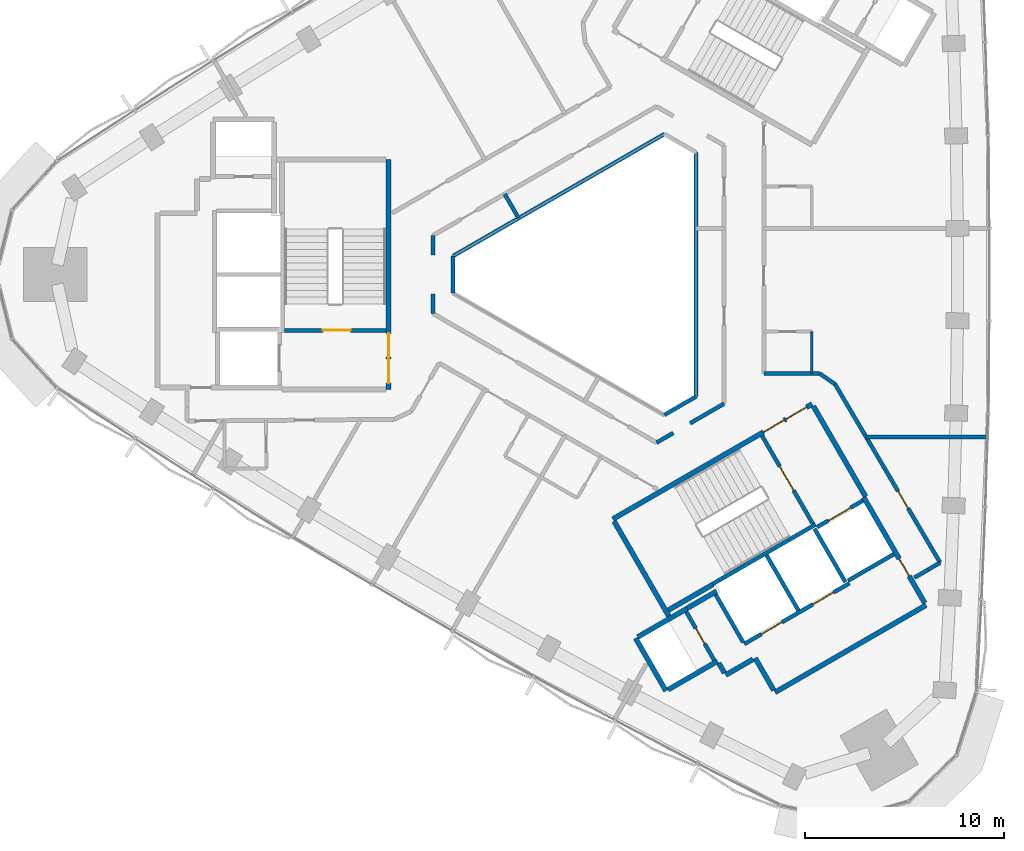
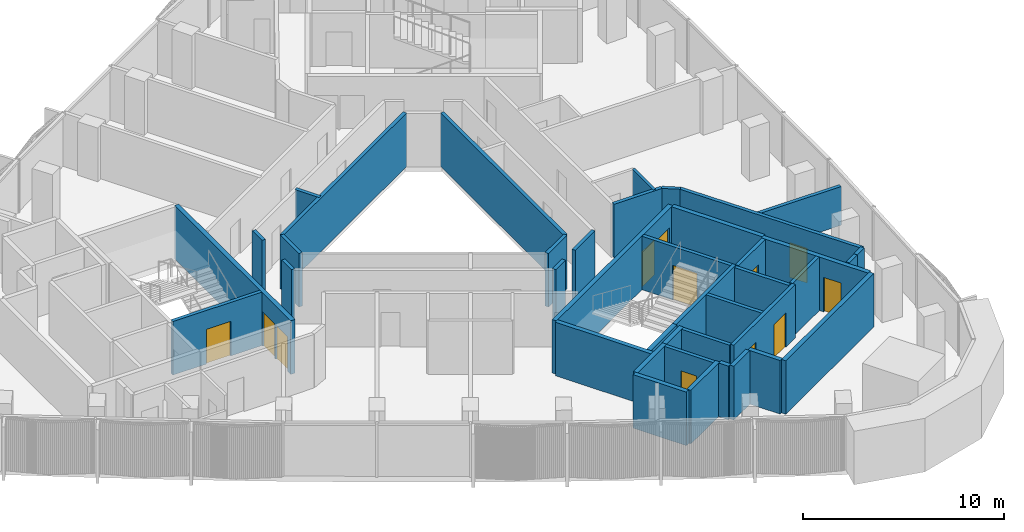
# One storey, part 8 of 13: 40 walls, 12 doors, 12 openings.
"""IFC4 building model written with IfcOpenShell, lengths in metres."""

from ifc_helpers import new_model, si_unit, direction, frame, frame_2d, origin, place, context, subcontext, project, spatial, rectangle, extrude, material, layer, layer_set, type_object, element, fill, save


model = new_model("IFC4")

# Units and contexts
model_context = context("Model", 3, precision=1e-05, world=origin(), true_north=direction((0.0, 1.0)))
body_context = subcontext(model_context, "Body", "Model", "MODEL_VIEW")
ifc_project = project(units=[si_unit("LENGTHUNIT", "METRE"), si_unit("AREAUNIT", "SQUARE_METRE"), si_unit("VOLUMEUNIT", "CUBIC_METRE"), si_unit("PLANEANGLEUNIT", "RADIAN"), si_unit("MASSUNIT", "GRAM", prefix="KILO")], contexts=[model_context])

# Site, building, storey
site_placement = place(None, origin())
site = spatial("IfcSite", under=ifc_project, at=site_placement, CompositionType="ELEMENT")
building_placement = place(site_placement, origin())
building = spatial("IfcBuilding", under=site, at=building_placement, Name="Tamra Quay Hotel Tower", CompositionType="ELEMENT")
storey_placement = place(building_placement, frame((0.0, 0.0, 182.800048828125)))
storey = spatial("IfcBuildingStorey", under=building, at=storey_placement, Name="L45", CompositionType="ELEMENT", Elevation=182.800048828125)

# Wall, opening, door
ifc_material_1 = material(Name="Concrete M70", Category="concrete")
ifc_layer_1 = layer(ifc_material_1, 0.199951171875)
ifc_layer_set_1 = layer_set([ifc_layer_1], Name="Concrete M70 core wall 200")
wall_type_1 = type_object("IfcWallType", Name="Concrete M70 core wall 200", PredefinedType="SHEAR", material=ifc_layer_set_1)
wall_1_placement = place(storey_placement, frame((-10.96337890625, -2.800048828125, 0.0), z_axis=(0.0, 0.0, 1.0), x_axis=(-1.0, 0.0, 0.0)))
wall_1 = element("IfcWall", 1, at=wall_1_placement, inside=storey, type_object=wall_type_1, Name="CW2", PredefinedType="SHEAR", context=body_context, shape_type="SweptSolid", body=[
    extrude(rectangle(XDim=5.097900390625, YDim=0.199951171875, at=frame_2d((2.548828125, 0.0))), origin(), (0.0, 0.0, 1.0), 3.25),
])
opening_1_placement = place(wall_1_placement, frame((1.77392578125, 0.0, 0.0)))
opening_1 = element("IfcOpeningElement", 2, at=opening_1_placement, cuts=wall_1, Name="Opening FD2", PredefinedType="OPENING", context=body_context, shape_type="SweptSolid", body=[
    extrude(rectangle(XDim=1.39990234375, YDim=2.10009765625, at=frame_2d((0.699951171875, 1.050048828125))), frame((0.0, 0.10986328125, 0.0), z_axis=(0.0, -1.0, 0.0), x_axis=(1.0, 0.0, 0.0)), (0.0, 0.0, 1.0), 0.219970703125),
])
ifc_material_2 = material(Name="Core door FD2 1400x2100 RH")
door_type_1 = type_object("IfcDoorType", Name="Core door FD2 1400x2100 RH", OperationType="NOTDEFINED", PredefinedType="DOOR", material=ifc_material_2)
door_1_placement = place(opening_1_placement, origin())
door_1 = element("IfcDoor", 3, at=door_1_placement, inside=storey, type_object=door_type_1, Name="FD2", OperationType="SINGLE_SWING_RIGHT", OverallHeight=2.10009765625, OverallWidth=1.39990234375, PredefinedType="DOOR", context=body_context, shape_type="SweptSolid", body=[
    extrude(rectangle(XDim=1.39990234375, YDim=2.10009765625, at=frame_2d((0.699951171875, 1.050048828125))), frame((0.0, 0.02490234375, 0.0), z_axis=(0.0, -1.0, 0.0), x_axis=(1.0, 0.0, 0.0)), (0.0, 0.0, 1.0), 0.050048828125),
])
fill(opening_1, door_1)

# Wall
wall_2_placement = place(storey_placement, frame((5.4189453125, -15.533935546875, 0.0), z_axis=(0.0, 0.0, 1.0), x_axis=(0.866029065029, 0.499993658486, 0.0)))
element("IfcWall", 4, at=wall_2_placement, inside=storey, type_object=wall_type_1, Name="CW2", PredefinedType="SHEAR", context=body_context, shape_type="SweptSolid", body=[
    extrude(rectangle(XDim=5.97412109375, YDim=0.199951171875, at=frame_2d((2.987060546875, 0.0))), origin(), (0.0, 0.0, 1.0), 3.25),
])

# Wall, openings, doors
wall_3_placement = place(storey_placement, frame((7.009765625, -18.54150390625, 0.0), z_axis=(0.0, 0.0, 1.0), x_axis=(0.866030299012, 0.499991521122, 0.0)))
wall_3 = element("IfcWall", 5, at=wall_3_placement, inside=storey, type_object=wall_type_1, Name="CW2", PredefinedType="SHEAR", context=body_context, shape_type="SweptSolid", body=[
    extrude(rectangle(XDim=6.10009765625, YDim=0.199951171875, at=frame_2d((3.050048828125, 0.0))), origin(), (0.0, 0.0, 1.0), 3.25),
])
opening_2_placement = place(wall_3_placement, frame((1.0, 0.0, 0.0)))
opening_2 = element("IfcOpeningElement", 6, at=opening_2_placement, cuts=wall_3, Name="Opening LD", PredefinedType="OPENING", context=body_context, shape_type="SweptSolid", body=[
    extrude(rectangle(XDim=1.199951171875, YDim=2.10009765625, at=frame_2d((0.60009765625, 1.050048828125))), frame((0.0, 0.10986328125, 0.0), z_axis=(0.0, -1.0, 0.0), x_axis=(1.0, 0.0, 0.0)), (0.0, 0.0, 1.0), 0.219970703125),
])
opening_3_placement = place(wall_3_placement, frame((3.982177734375, 0.0, 0.0)))
opening_3 = element("IfcOpeningElement", 7, at=opening_3_placement, cuts=wall_3, Name="Opening LD", PredefinedType="OPENING", context=body_context, shape_type="SweptSolid", body=[
    extrude(rectangle(XDim=1.199951171875, YDim=2.10009765625, at=frame_2d((0.60009765625, 1.050048828125))), frame((0.0, 0.10986328125, 0.0), z_axis=(0.0, -1.0, 0.0), x_axis=(1.0, 0.0, 0.0)), (0.0, 0.0, 1.0), 0.219970703125),
])
ifc_material_3 = material(Name="Landing door LD 1200 double door sliding")
door_type_2 = type_object("IfcDoorType", Name="Landing door LD 1200 double door sliding", OperationType="DOUBLE_DOOR_SLIDING", PredefinedType="DOOR", material=ifc_material_3)
door_2_placement = place(opening_2_placement, origin())
door_2 = element("IfcDoor", 8, at=door_2_placement, inside=storey, type_object=door_type_2, Name="LD", OperationType="DOUBLE_DOOR_SLIDING", OverallHeight=2.10009765625, OverallWidth=1.199951171875, PredefinedType="DOOR", context=body_context, shape_type="SweptSolid", body=[
    extrude(rectangle(XDim=1.199951171875, YDim=2.10009765625, at=frame_2d((0.60009765625, 1.050048828125))), frame((0.0, 0.02490234375, 0.0), z_axis=(0.0, -1.0, 0.0), x_axis=(1.0, 0.0, 0.0)), (0.0, 0.0, 1.0), 0.050048828125),
])
fill(opening_2, door_2)
door_3_placement = place(opening_3_placement, origin())
door_3 = element("IfcDoor", 9, at=door_3_placement, inside=storey, type_object=door_type_2, Name="LD", OperationType="DOUBLE_DOOR_SLIDING", OverallHeight=2.10009765625, OverallWidth=1.199951171875, PredefinedType="DOOR", context=body_context, shape_type="SweptSolid", body=[
    extrude(rectangle(XDim=1.199951171875, YDim=2.10009765625, at=frame_2d((0.60009765625, 1.050048828125))), frame((0.0, 0.02490234375, 0.0), z_axis=(0.0, -1.0, 0.0), x_axis=(1.0, 0.0, 0.0)), (0.0, 0.0, 1.0), 0.050048828125),
])
fill(opening_3, door_3)

# Wall, opening, door
wall_4_placement = place(storey_placement, frame((7.906494140625, -8.094482421875, 0.0), z_axis=(0.0, 0.0, 1.0), x_axis=(0.500027839223, -0.866009330205, 0.0)))
wall_4 = element("IfcWall", 10, at=wall_4_placement, inside=storey, type_object=wall_type_1, Name="CW2", PredefinedType="SHEAR", context=body_context, shape_type="SweptSolid", body=[
    extrude(rectangle(XDim=5.097900390625, YDim=0.199951171875, at=frame_2d((2.548828125, 0.0))), origin(), (0.0, 0.0, 1.0), 3.25),
])
opening_4_placement = place(wall_4_placement, frame((1.77392578125, 0.0, 0.0)))
opening_4 = element("IfcOpeningElement", 11, at=opening_4_placement, cuts=wall_4, Name="Opening FD2", PredefinedType="OPENING", context=body_context, shape_type="SweptSolid", body=[
    extrude(rectangle(XDim=1.39990234375, YDim=2.10009765625, at=frame_2d((0.699951171875, 1.050048828125))), frame((0.0, 0.10986328125, 0.0), z_axis=(0.0, -1.0, 0.0), x_axis=(1.0, 0.0, 0.0)), (0.0, 0.0, 1.0), 0.219970703125),
])
ifc_material_4 = material(Name="Core door FD2 1400x2100 LH")
door_type_3 = type_object("IfcDoorType", Name="Core door FD2 1400x2100 LH", OperationType="NOTDEFINED", PredefinedType="DOOR", material=ifc_material_4)
door_4_placement = place(opening_4_placement, origin())
door_4 = element("IfcDoor", 12, at=door_4_placement, inside=storey, type_object=door_type_3, Name="FD2", OperationType="SINGLE_SWING_LEFT", OverallHeight=2.10009765625, OverallWidth=1.39990234375, PredefinedType="DOOR", context=body_context, shape_type="SweptSolid", body=[
    extrude(rectangle(XDim=1.39990234375, YDim=2.10009765625, at=frame_2d((0.699951171875, 1.050048828125))), frame((0.0, 0.02490234375, 0.0), z_axis=(0.0, -1.0, 0.0), x_axis=(1.0, 0.0, 0.0)), (0.0, 0.0, 1.0), 0.050048828125),
])
fill(opening_4, door_4)

# Wall
wall_5_placement = place(storey_placement, frame((8.131591796875, -14.084228515625, 0.0), z_axis=(0.0, 0.0, 1.0), x_axis=(0.499997778408, -0.866026686418, 0.0)))
element("IfcWall", 13, at=wall_5_placement, inside=storey, type_object=wall_type_1, Name="CW2", PredefinedType="SHEAR", context=body_context, shape_type="SweptSolid", body=[
    extrude(rectangle(XDim=3.1982421875, YDim=0.199951171875, at=frame_2d((1.59912109375, 0.0))), origin(), (0.0, 0.0, 1.0), 3.25),
])

# Wall, opening, door
wall_6_placement = place(storey_placement, frame((5.50341796875, -19.352294921875, 0.0), z_axis=(0.0, 0.0, 1.0), x_axis=(-0.499986818241, 0.866033014143, 0.0)))
wall_6 = element("IfcWall", 14, at=wall_6_placement, inside=storey, type_object=wall_type_1, Name="CW2", PredefinedType="SHEAR", context=body_context, shape_type="SweptSolid", body=[
    extrude(rectangle(XDim=2.7978515625, YDim=0.199951171875, at=frame_2d((1.39892578125, 0.0))), origin(), (0.0, 0.0, 1.0), 3.25),
])
opening_5_placement = place(wall_6_placement, frame((0.948974609375, 0.0, 0.0)))
opening_5 = element("IfcOpeningElement", 15, at=opening_5_placement, cuts=wall_6, Name="Opening D1", PredefinedType="OPENING", context=body_context, shape_type="SweptSolid", body=[
    extrude(rectangle(XDim=0.89990234375, YDim=2.10009765625, at=frame_2d((0.449951171875, 1.050048828125))), frame((0.0, 0.10986328125, 0.0), z_axis=(0.0, -1.0, 0.0), x_axis=(1.0, 0.0, 0.0)), (0.0, 0.0, 1.0), 0.219970703125),
])
ifc_material_5 = material(Name="Core door D1 900x2100 RH")
door_type_4 = type_object("IfcDoorType", Name="Core door D1 900x2100 RH", OperationType="NOTDEFINED", PredefinedType="DOOR", material=ifc_material_5)
door_5_placement = place(opening_5_placement, origin())
door_5 = element("IfcDoor", 16, at=door_5_placement, inside=storey, type_object=door_type_4, Name="D1", OperationType="SINGLE_SWING_RIGHT", OverallHeight=2.10009765625, OverallWidth=0.89990234375, PredefinedType="DOOR", context=body_context, shape_type="SweptSolid", body=[
    extrude(rectangle(XDim=0.89990234375, YDim=2.10009765625, at=frame_2d((0.449951171875, 1.050048828125))), frame((0.0, 0.02490234375, 0.0), z_axis=(0.0, -1.0, 0.0), x_axis=(1.0, 0.0, 0.0)), (0.0, 0.0, 1.0), 0.050048828125),
])
fill(opening_5, door_5)

# Walls
wall_7_placement = place(storey_placement, frame((6.959716796875, -18.455078125, 0.0), z_axis=(0.0, 0.0, 1.0), x_axis=(-0.499926705758, 0.866067716099, 0.0)))
element("IfcWall", 17, at=wall_7_placement, inside=storey, type_object=wall_type_1, Name="CW2", PredefinedType="SHEAR", context=body_context, shape_type="SweptSolid", body=[
    extrude(rectangle(XDim=2.75927734375, YDim=0.199951171875, at=frame_2d((1.379638671875, 0.0))), origin(), (0.0, 0.0, 1.0), 3.25),
])
wall_8_placement = place(storey_placement, frame((12.087646484375, -15.4365234375, 0.0), z_axis=(0.0, 0.0, 1.0), x_axis=(-0.500026960575, 0.86600983753, 0.0)))
element("IfcWall", 18, at=wall_8_placement, inside=storey, type_object=wall_type_1, Name="CW2", PredefinedType="SHEAR", context=body_context, shape_type="SweptSolid", body=[
    extrude(rectangle(XDim=3.099853515625, YDim=0.199951171875, at=frame_2d((1.5498046875, 0.0))), origin(), (0.0, 0.0, 1.0), 3.25),
])

# Wall, opening, door
wall_9_placement = place(storey_placement, frame((10.666015625, -12.677734375, 0.0), z_axis=(0.0, 0.0, 1.0), x_axis=(0.866018407898, 0.500012117035, 0.0)))
wall_9 = element("IfcWall", 19, at=wall_9_placement, inside=storey, type_object=wall_type_1, Name="CW2", PredefinedType="SHEAR", context=body_context, shape_type="SweptSolid", body=[
    extrude(rectangle(XDim=2.65087890625, YDim=0.199951171875, at=frame_2d((1.325439453125, 0.0))), origin(), (0.0, 0.0, 1.0), 3.25),
])
opening_6_placement = place(wall_9_placement, frame((0.65185546875, 0.0, 0.0)))
opening_6 = element("IfcOpeningElement", 20, at=opening_6_placement, cuts=wall_9, Name="Opening LD", PredefinedType="OPENING", context=body_context, shape_type="SweptSolid", body=[
    extrude(rectangle(XDim=1.300048828125, YDim=2.10009765625, at=frame_2d((0.64990234375, 1.050048828125))), frame((0.0, 0.10986328125, 0.0), z_axis=(0.0, -1.0, 0.0), x_axis=(1.0, 0.0, 0.0)), (0.0, 0.0, 1.0), 0.219970703125),
])
ifc_material_6 = material(Name="Landing door LD 1300 sliding to left")
door_type_5 = type_object("IfcDoorType", Name="Landing door LD 1300 sliding to left", OperationType="NOTDEFINED", PredefinedType="DOOR", material=ifc_material_6)
door_6_placement = place(opening_6_placement, origin())
door_6 = element("IfcDoor", 21, at=door_6_placement, inside=storey, type_object=door_type_5, Name="LD", OperationType="SLIDING_TO_LEFT", OverallHeight=2.10009765625, OverallWidth=1.300048828125, PredefinedType="DOOR", context=body_context, shape_type="SweptSolid", body=[
    extrude(rectangle(XDim=1.300048828125, YDim=2.10009765625, at=frame_2d((0.64990234375, 1.050048828125))), frame((0.0, 0.02490234375, 0.0), z_axis=(0.0, -1.0, 0.0), x_axis=(1.0, 0.0, 0.0)), (0.0, 0.0, 1.0), 0.050048828125),
])
fill(opening_6, door_6)

# Wall
wall_10_placement = place(storey_placement, frame((14.51171875, -14.037109375, 0.0), z_axis=(0.0, 0.0, 1.0), x_axis=(-0.866018407898, -0.500012117035, 0.0)))
element("IfcWall", 22, at=wall_10_placement, inside=storey, type_object=wall_type_1, Name="CW2", PredefinedType="SHEAR", context=body_context, shape_type="SweptSolid", body=[
    extrude(rectangle(XDim=2.65087890625, YDim=0.199951171875, at=frame_2d((1.325439453125, 0.0))), origin(), (0.0, 0.0, 1.0), 3.25),
])

# Wall, openings, doors
ifc_layer_2 = layer(ifc_material_1, 0.25)
ifc_layer_set_2 = layer_set([ifc_layer_2], Name="Concrete M70 core wall 250")
wall_type_2 = type_object("IfcWallType", Name="Concrete M70 core wall 250", PredefinedType="SHEAR", material=ifc_layer_set_2)
wall_11_placement = place(storey_placement, frame((-10.83740234375, 5.77490234375, 0.0), z_axis=(0.0, 0.0, 1.0), x_axis=(0.0, -1.0, 0.0)))
wall_11 = element("IfcWall", 23, at=wall_11_placement, inside=storey, type_object=wall_type_2, Name="CW1", PredefinedType="SHEAR", context=body_context, shape_type="SweptSolid", body=[
    extrude(rectangle(XDim=11.5498046875, YDim=0.25, at=frame_2d((5.77490234375, 0.0))), origin(), (0.0, 0.0, 1.0), 3.25),
])
opening_7_placement = place(wall_11_placement, frame((10.02490234375, 0.0, 0.0)))
opening_7 = element("IfcOpeningElement", 24, at=opening_7_placement, cuts=wall_11, Name="Opening FD1", PredefinedType="OPENING", context=body_context, shape_type="SweptSolid", body=[
    extrude(rectangle(XDim=1.199951171875, YDim=2.10009765625, at=frame_2d((0.60009765625, 1.050048828125))), frame((0.0, 0.135009765625, 0.0), z_axis=(0.0, -1.0, 0.0), x_axis=(1.0, 0.0, 0.0)), (0.0, 0.0, 1.0), 0.27001953125),
])
opening_8_placement = place(wall_11_placement, frame((8.72509765625, 0.0, 0.0)))
opening_8 = element("IfcOpeningElement", 25, at=opening_8_placement, cuts=wall_11, Name="Opening FD1", PredefinedType="OPENING", context=body_context, shape_type="SweptSolid", body=[
    extrude(rectangle(XDim=1.199951171875, YDim=2.10009765625, at=frame_2d((0.60009765625, 1.050048828125))), frame((0.0, 0.135009765625, 0.0), z_axis=(0.0, -1.0, 0.0), x_axis=(1.0, 0.0, 0.0)), (0.0, 0.0, 1.0), 0.27001953125),
])
ifc_material_7 = material(Name="Core door FD1 1200x2100 LH")
door_type_6 = type_object("IfcDoorType", Name="Core door FD1 1200x2100 LH", OperationType="NOTDEFINED", PredefinedType="DOOR", material=ifc_material_7)
door_7_placement = place(opening_7_placement, origin())
door_7 = element("IfcDoor", 26, at=door_7_placement, inside=storey, type_object=door_type_6, Name="FD1", OperationType="SINGLE_SWING_LEFT", OverallHeight=2.10009765625, OverallWidth=1.199951171875, PredefinedType="DOOR", context=body_context, shape_type="SweptSolid", body=[
    extrude(rectangle(XDim=1.199951171875, YDim=2.10009765625, at=frame_2d((0.60009765625, 1.050048828125))), frame((0.0, 0.02490234375, 0.0), z_axis=(0.0, -1.0, 0.0), x_axis=(1.0, 0.0, 0.0)), (0.0, 0.0, 1.0), 0.050048828125),
])
fill(opening_7, door_7)
ifc_material_8 = material(Name="Core door FD1 1200x2100 RH")
door_type_7 = type_object("IfcDoorType", Name="Core door FD1 1200x2100 RH", OperationType="NOTDEFINED", PredefinedType="DOOR", material=ifc_material_8)
door_8_placement = place(opening_8_placement, origin())
door_8 = element("IfcDoor", 27, at=door_8_placement, inside=storey, type_object=door_type_7, Name="FD1", OperationType="SINGLE_SWING_RIGHT", OverallHeight=2.10009765625, OverallWidth=1.199951171875, PredefinedType="DOOR", context=body_context, shape_type="SweptSolid", body=[
    extrude(rectangle(XDim=1.199951171875, YDim=2.10009765625, at=frame_2d((0.60009765625, 1.050048828125))), frame((0.0, 0.02490234375, 0.0), z_axis=(0.0, -1.0, 0.0), x_axis=(1.0, 0.0, 0.0)), (0.0, 0.0, 1.0), 0.050048828125),
])
fill(opening_8, door_8)

wall_12_placement = place(storey_placement, frame((0.417236328125, -12.27294921875, 0.0), z_axis=(0.0, 0.0, 1.0), x_axis=(0.866021906294, 0.500006057782, 0.0)))
wall_12 = element("IfcWall", 28, at=wall_12_placement, inside=storey, type_object=wall_type_2, Name="CW1", PredefinedType="SHEAR", context=body_context, shape_type="SweptSolid", body=[
    extrude(rectangle(XDim=11.550048828125, YDim=0.25, at=frame_2d((5.77490234375, 0.0))), origin(), (0.0, 0.0, 1.0), 3.25),
])
opening_9_placement = place(wall_12_placement, frame((10.024658203125, 0.0, 0.0)))
opening_9 = element("IfcOpeningElement", 29, at=opening_9_placement, cuts=wall_12, Name="Opening FD1", PredefinedType="OPENING", context=body_context, shape_type="SweptSolid", body=[
    extrude(rectangle(XDim=1.199951171875, YDim=2.10009765625, at=frame_2d((0.60009765625, 1.050048828125))), frame((0.0, 0.135009765625, 0.0), z_axis=(0.0, -1.0, 0.0), x_axis=(1.0, 0.0, 0.0)), (0.0, 0.0, 1.0), 0.27001953125),
])
opening_10_placement = place(wall_12_placement, frame((8.724609375, 0.0, 0.0)))
opening_10 = element("IfcOpeningElement", 30, at=opening_10_placement, cuts=wall_12, Name="Opening FD1", PredefinedType="OPENING", context=body_context, shape_type="SweptSolid", body=[
    extrude(rectangle(XDim=1.199951171875, YDim=2.10009765625, at=frame_2d((0.60009765625, 1.050048828125))), frame((0.0, 0.135009765625, 0.0), z_axis=(0.0, -1.0, 0.0), x_axis=(1.0, 0.0, 0.0)), (0.0, 0.0, 1.0), 0.27001953125),
])
door_9_placement = place(opening_9_placement, origin())
door_9 = element("IfcDoor", 31, at=door_9_placement, inside=storey, type_object=door_type_6, Name="FD1", OperationType="SINGLE_SWING_LEFT", OverallHeight=2.10009765625, OverallWidth=1.199951171875, PredefinedType="DOOR", context=body_context, shape_type="SweptSolid", body=[
    extrude(rectangle(XDim=1.199951171875, YDim=2.10009765625, at=frame_2d((0.60009765625, 1.050048828125))), frame((0.0, 0.02490234375, 0.0), z_axis=(0.0, -1.0, 0.0), x_axis=(1.0, 0.0, 0.0)), (0.0, 0.0, 1.0), 0.050048828125),
])
fill(opening_9, door_9)
door_10_placement = place(opening_10_placement, origin())
door_10 = element("IfcDoor", 32, at=door_10_placement, inside=storey, type_object=door_type_7, Name="FD1", OperationType="SINGLE_SWING_RIGHT", OverallHeight=2.10009765625, OverallWidth=1.199951171875, PredefinedType="DOOR", context=body_context, shape_type="SweptSolid", body=[
    extrude(rectangle(XDim=1.199951171875, YDim=2.10009765625, at=frame_2d((0.60009765625, 1.050048828125))), frame((0.0, 0.02490234375, 0.0), z_axis=(0.0, -1.0, 0.0), x_axis=(1.0, 0.0, 0.0)), (0.0, 0.0, 1.0), 0.050048828125),
])
fill(opening_10, door_10)

# Wall
wall_13_placement = place(storey_placement, frame((16.13330078125, -16.59375, 0.0), z_axis=(0.0, 0.0, 1.0), x_axis=(-0.866022959057, -0.500004234368, 0.0)))
element("IfcWall", 33, at=wall_13_placement, inside=storey, type_object=wall_type_2, Name="CW1", PredefinedType="SHEAR", context=body_context, shape_type="SweptSolid", body=[
    extrude(rectangle(XDim=8.75, YDim=0.25, at=frame_2d((4.375, 0.0))), origin(), (0.0, 0.0, 1.0), 3.25),
])

# Wall, opening, door
wall_14_placement = place(storey_placement, frame((13.00830078125, -11.18115234375, 0.0), z_axis=(0.0, 0.0, 1.0), x_axis=(0.500001955336, -0.866024274868, 0.0)))
wall_14 = element("IfcWall", 34, at=wall_14_placement, inside=storey, type_object=wall_type_2, Name="CW1", PredefinedType="SHEAR", context=body_context, shape_type="SweptSolid", body=[
    extrude(rectangle(XDim=6.12451171875, YDim=0.25, at=frame_2d((3.062255859375, 0.0))), origin(), (0.0, 0.0, 1.0), 3.25),
])
opening_11_placement = place(wall_14_placement, frame((3.562744140625, 0.0, 0.0)))
opening_11 = element("IfcOpeningElement", 35, at=opening_11_placement, cuts=wall_14, Name="Opening FD3", PredefinedType="OPENING", context=body_context, shape_type="SweptSolid", body=[
    extrude(rectangle(XDim=1.0, YDim=2.10009765625, at=frame_2d((0.5, 1.050048828125))), frame((0.0, 0.135009765625, 0.0), z_axis=(0.0, -1.0, 0.0), x_axis=(1.0, 0.0, 0.0)), (0.0, 0.0, 1.0), 0.27001953125),
])
ifc_material_9 = material(Name="Core door FD3 1000x2100 LH")
door_type_8 = type_object("IfcDoorType", Name="Core door FD3 1000x2100 LH", OperationType="NOTDEFINED", PredefinedType="DOOR", material=ifc_material_9)
door_11_placement = place(opening_11_placement, origin())
door_11 = element("IfcDoor", 36, at=door_11_placement, inside=storey, type_object=door_type_8, Name="FD3", OperationType="SINGLE_SWING_LEFT", OverallHeight=2.10009765625, OverallWidth=1.0, PredefinedType="DOOR", context=body_context, shape_type="SweptSolid", body=[
    extrude(rectangle(XDim=1.0, YDim=2.10009765625, at=frame_2d((0.5, 1.050048828125))), frame((0.0, 0.02490234375, 0.0), z_axis=(0.0, -1.0, 0.0), x_axis=(1.0, 0.0, 0.0)), (0.0, 0.0, 1.0), 0.050048828125),
])
fill(opening_11, door_11)

# Walls
wall_15_placement = place(storey_placement, frame((3.23486328125, -17.15283203125, 0.0), z_axis=(0.0, 0.0, 1.0), x_axis=(-0.500008851346, 0.866020293397, 0.0)))
element("IfcWall", 37, at=wall_15_placement, inside=storey, type_object=wall_type_2, Name="CW1", PredefinedType="SHEAR", context=body_context, shape_type="SweptSolid", body=[
    extrude(rectangle(XDim=5.509765625, YDim=0.25, at=frame_2d((2.7548828125, 0.0))), origin(), (0.0, 0.0, 1.0), 3.25),
])
wall_16_placement = place(storey_placement, frame((10.482666015625, -6.6064453125, 0.0), z_axis=(0.0, 0.0, 1.0), x_axis=(0.49999885962, -0.866026062182, 0.0)))
element("IfcWall", 38, at=wall_16_placement, inside=storey, type_object=wall_type_2, Name="CW1", PredefinedType="SHEAR", context=body_context, shape_type="SweptSolid", body=[
    extrude(rectangle(XDim=5.224609375, YDim=0.25, at=frame_2d((2.6123046875, 0.0))), origin(), (0.0, 0.0, 1.0), 3.25),
])
wall_17_placement = place(storey_placement, frame((3.085205078125, -20.893798828125, 0.0), z_axis=(0.0, 0.0, 1.0), x_axis=(-0.499978833458, 0.866037623948, 0.0)))
element("IfcWall", 39, at=wall_17_placement, inside=storey, type_object=wall_type_2, Name="CW1", PredefinedType="SHEAR", context=body_context, shape_type="SweptSolid", body=[
    extrude(rectangle(XDim=3.050048828125, YDim=0.25, at=frame_2d((1.52490234375, 0.0))), origin(), (0.0, 0.0, 1.0), 3.25),
])
wall_18_placement = place(storey_placement, frame((1.6689453125, -18.189697265625, 0.0), z_axis=(0.0, 0.0, 1.0), x_axis=(0.866042235819, 0.499970844928, 0.0)))
element("IfcWall", 40, at=wall_18_placement, inside=storey, type_object=wall_type_2, Name="CW1", PredefinedType="SHEAR", context=body_context, shape_type="SweptSolid", body=[
    extrude(rectangle(XDim=2.864501953125, YDim=0.25, at=frame_2d((1.43212890625, 0.0))), origin(), (0.0, 0.0, 1.0), 3.25),
])
wall_19_placement = place(storey_placement, frame((5.6748046875, -19.39892578125, 0.0), z_axis=(0.0, 0.0, 1.0), x_axis=(-0.866026637627, -0.499997862916, 0.0)))
element("IfcWall", 41, at=wall_19_placement, inside=storey, type_object=wall_type_2, Name="CW1", PredefinedType="SHEAR", context=body_context, shape_type="SweptSolid", body=[
    extrude(rectangle(XDim=2.86474609375, YDim=0.25, at=frame_2d((1.432373046875, 0.0))), origin(), (0.0, 0.0, 1.0), 3.25),
])
wall_20_placement = place(storey_placement, frame((5.4306640625, -15.55615234375, 0.0), z_axis=(0.0, 0.0, 1.0), x_axis=(-0.866022940537, -0.500004266446, 0.0)))
element("IfcWall", 42, at=wall_20_placement, inside=storey, type_object=wall_type_2, Name="CW1", PredefinedType="SHEAR", context=body_context, shape_type="SweptSolid", body=[
    extrude(rectangle(XDim=2.57470703125, YDim=0.25, at=frame_2d((1.287353515625, 0.0))), origin(), (0.0, 0.0, 1.0), 3.25),
])
wall_21_placement = place(storey_placement, frame((8.492919921875, -20.860107421875, 0.0), z_axis=(0.0, 0.0, 1.0), x_axis=(-0.500039802285, 0.866002422705, 0.0)))
element("IfcWall", 43, at=wall_21_placement, inside=storey, type_object=wall_type_2, Name="CW1", PredefinedType="SHEAR", context=body_context, shape_type="SweptSolid", body=[
    extrude(rectangle(XDim=1.864501953125, YDim=0.25, at=frame_2d((0.93212890625, 0.0))), origin(), (0.0, 0.0, 1.0), 3.25),
])
wall_22_placement = place(storey_placement, frame((4.144775390625, -16.748779296875, 0.0), z_axis=(0.0, 0.0, 1.0), x_axis=(0.866038183914, 0.499977863513, 0.0)))
element("IfcWall", 44, at=wall_22_placement, inside=storey, type_object=wall_type_2, Name="CW1", PredefinedType="SHEAR", context=body_context, shape_type="SweptSolid", body=[
    extrude(rectangle(XDim=1.7099609375, YDim=0.25, at=frame_2d((0.85498046875, 0.0))), origin(), (0.0, 0.0, 1.0), 3.25),
])
wall_23_placement = place(storey_placement, frame((7.451904296875, -19.30810546875, 0.0), z_axis=(0.0, 0.0, 1.0), x_axis=(-0.866044474677, -0.49996696679, 0.0)))
element("IfcWall", 45, at=wall_23_placement, inside=storey, type_object=wall_type_2, Name="CW1", PredefinedType="SHEAR", context=body_context, shape_type="SweptSolid", body=[
    extrude(rectangle(XDim=1.58447265625, YDim=0.25, at=frame_2d((0.792236328125, 0.0))), origin(), (0.0, 0.0, 1.0), 3.25),
])
wall_24_placement = place(storey_placement, frame((6.01708984375, -19.99169921875, 0.0), z_axis=(0.0, 0.0, 1.0), x_axis=(-0.500364886717, 0.865814633822, 0.0)))
element("IfcWall", 46, at=wall_24_placement, inside=storey, type_object=wall_type_2, Name="CW1", PredefinedType="SHEAR", context=body_context, shape_type="SweptSolid", body=[
    extrude(rectangle(XDim=0.55908203125, YDim=0.25, at=frame_2d((0.279541015625, 0.0))), origin(), (0.0, 0.0, 1.0), 3.25),
])
ifc_material_10 = material(Name="Partition corridor wall")
ifc_layer_3 = layer(ifc_material_10, 0.199951171875)
ifc_layer_set_3 = layer_set([ifc_layer_3], Name="Partition corridor wall")
wall_type_3 = type_object("IfcWallType", Name="Partition corridor wall", PredefinedType="PARTITIONING", material=ifc_layer_set_3)
for number, where, z_axis, x_axis, name in (
    (47, (-8.612060546875, -1.9560546875, 0.0), (0.0, 0.0, 1.0), (0.0, 1.0, 0.0), "W-C"),
    (48, (-8.612060546875, 0.98193359375, 0.0), (0.0, 0.0, 1.0), (0.0, 1.0, 0.0), "W-C"),
):
    element("IfcWall", number, at=place(storey_placement, frame(where, z_axis=z_axis, x_axis=x_axis)), inside=storey, type_object=wall_type_3, Name=name, PredefinedType="PARTITIONING", context=body_context, shape_type="SweptSolid", body=[
        extrude(rectangle(XDim=0.97412109375, YDim=0.199951171875, at=frame_2d((0.487060546875, 0.0))), origin(), (0.0, 0.0, 1.0), 3.25),
    ])
wall_25_placement = place(storey_placement, frame((2.6123046875, -8.4365234375, 0.0), z_axis=(0.0, 0.0, 1.0), x_axis=(0.866026830048, 0.499997529631, 0.0)))
element("IfcWall", 49, at=wall_25_placement, inside=storey, type_object=wall_type_3, Name="W-C", PredefinedType="PARTITIONING", context=body_context, shape_type="SweptSolid", body=[
    extrude(rectangle(XDim=0.97314453125, YDim=0.199951171875, at=frame_2d((0.486572265625, 0.0))), origin(), (0.0, 0.0, 1.0), 3.25),
])
wall_26_placement = place(storey_placement, frame((4.297119140625, -7.464111328125, 0.0), z_axis=(0.0, 0.0, 1.0), x_axis=(0.866026378386, 0.499998311937, 0.0)))
element("IfcWall", 50, at=wall_26_placement, inside=storey, type_object=wall_type_3, Name="W-C", PredefinedType="PARTITIONING", context=body_context, shape_type="SweptSolid", body=[
    extrude(rectangle(XDim=1.96630859375, YDim=0.199951171875, at=frame_2d((0.983154296875, 0.0))), origin(), (0.0, 0.0, 1.0), 3.25),
])
wall_27_placement = place(storey_placement, frame((8.0, -4.966064453125, 0.0), z_axis=(0.0, 0.0, 1.0), x_axis=(1.0, 0.0, 0.0)))
element("IfcWall", 51, at=wall_27_placement, inside=storey, type_object=wall_type_3, Name="W-C", PredefinedType="PARTITIONING", context=body_context, shape_type="SweptSolid", body=[
    extrude(rectangle(XDim=2.79296875, YDim=0.199951171875, at=frame_2d((1.396484375, 0.0))), origin(), (0.0, 0.0, 1.0), 3.25),
])
wall_28_placement = place(storey_placement, frame((10.7939453125, -4.966064453125, 0.0), z_axis=(0.0, 0.0, 1.0), x_axis=(0.822266583859, -0.569102508401, 0.0)))
element("IfcWall", 52, at=wall_28_placement, inside=storey, type_object=wall_type_3, Name="W-C", PredefinedType="PARTITIONING", context=body_context, shape_type="SweptSolid", body=[
    extrude(rectangle(XDim=0.945068359375, YDim=0.199951171875, at=frame_2d((0.47265625, 0.0))), origin(), (0.0, 0.0, 1.0), 3.25),
])

# Wall, opening, door
wall_29_placement = place(storey_placement, frame((11.570556640625, -5.50537109375, 0.0), z_axis=(0.0, 0.0, 1.0), x_axis=(0.507311705706, -0.861762631618, 0.0)))
wall_29 = element("IfcWall", 53, at=wall_29_placement, inside=storey, type_object=wall_type_3, Name="W-C", PredefinedType="PARTITIONING", context=body_context, shape_type="SweptSolid", body=[
    extrude(rectangle(XDim=10.39111328125, YDim=0.199951171875, at=frame_2d((5.195556640625, 0.0))), origin(), (0.0, 0.0, 1.0), 3.25),
])
opening_12_placement = place(wall_29_placement, frame((6.227783203125, 0.0, 0.0)))
opening_12 = element("IfcOpeningElement", 54, at=opening_12_placement, cuts=wall_29, Name="Opening L45-D014", PredefinedType="OPENING", context=body_context, shape_type="SweptSolid", body=[
    extrude(rectangle(XDim=1.0, YDim=2.10009765625, at=frame_2d((0.5, 1.050048828125))), frame((0.0, 0.10986328125, 0.0), z_axis=(0.0, -1.0, 0.0), x_axis=(1.0, 0.0, 0.0)), (0.0, 0.0, 1.0), 0.219970703125),
])
ifc_material_11 = material(Name="Door guest room 1000x2100")
door_type_9 = type_object("IfcDoorType", Name="Door guest room 1000x2100", OperationType="NOTDEFINED", PredefinedType="DOOR", material=ifc_material_11)
door_12_placement = place(opening_12_placement, frame((1.0, 0.0, 0.0), z_axis=(0.0, 0.0, 1.0), x_axis=(-1.0, 0.0, 0.0)))
door_12 = element("IfcDoor", 55, at=door_12_placement, inside=storey, type_object=door_type_9, Name="L45-D014", OperationType="SINGLE_SWING_LEFT", OverallHeight=2.10009765625, OverallWidth=1.0, PredefinedType="DOOR", context=body_context, shape_type="SweptSolid", body=[
    extrude(rectangle(XDim=1.0, YDim=2.10009765625, at=frame_2d((0.5, 1.050048828125))), frame((0.0, 0.02490234375, 0.0), z_axis=(0.0, -1.0, 0.0), x_axis=(1.0, 0.0, 0.0)), (0.0, 0.0, 1.0), 0.050048828125),
])
fill(opening_12, door_12)

# Walls
wall_30_placement = place(storey_placement, frame((15.5498046875, -15.213134765625, 0.0), z_axis=(0.0, 0.0, 1.0), x_axis=(0.865989998118, 0.500061319399, 0.0)))
element("IfcWall", 56, at=wall_30_placement, inside=storey, type_object=wall_type_3, Name="W-C", PredefinedType="PARTITIONING", context=body_context, shape_type="SweptSolid", body=[
    extrude(rectangle(XDim=0.7900390625, YDim=0.199951171875, at=frame_2d((0.39501953125, 0.0))), origin(), (0.0, 0.0, 1.0), 3.25),
])
wall_31_placement = place(storey_placement, frame((16.235107421875, -14.81396484375, 0.0), z_axis=(0.0, 0.0, 1.0), x_axis=(0.863804104711, 0.503827816505, 0.0)))
element("IfcWall", 57, at=wall_31_placement, inside=storey, type_object=wall_type_3, Name="W-C", PredefinedType="PARTITIONING", context=body_context, shape_type="SweptSolid", body=[
    extrude(rectangle(XDim=0.70263671875, YDim=0.199951171875, at=frame_2d((0.351318359375, 0.0))), origin(), (0.0, 0.0, 1.0), 3.25),
])
ifc_material_12 = material(Name="Partition en-suite wall")
ifc_layer_4 = layer(ifc_material_12, 0.14990234375)
ifc_layer_set_4 = layer_set([ifc_layer_4], Name="Partition en-suite wall")
wall_type_4 = type_object("IfcWallType", Name="Partition en-suite wall", PredefinedType="PARTITIONING", material=ifc_layer_set_4)
wall_32_placement = place(storey_placement, frame((10.39990234375, -4.966064453125, 0.0), z_axis=(0.0, 0.0, 1.0), x_axis=(0.0, 1.0, 0.0)))
element("IfcWall", 58, at=wall_32_placement, inside=storey, type_object=wall_type_4, Name="W-E", PredefinedType="PARTITIONING", context=body_context, shape_type="SweptSolid", body=[
    extrude(rectangle(XDim=2.10009765625, YDim=0.14990234375, at=frame_2d((1.050048828125, 0.0))), origin(), (0.0, 0.0, 1.0), 3.25),
])
ifc_material_13 = material(Name="Partition party wall")
ifc_layer_5 = layer(ifc_material_13, 0.199951171875)
ifc_layer_set_5 = layer_set([ifc_layer_5], Name="Partition party wall")
wall_type_5 = type_object("IfcWallType", Name="Partition party wall", PredefinedType="PARTITIONING", material=ifc_layer_set_5)
wall_33_placement = place(storey_placement, frame((-7.60009765625, 0.924072265625, 0.0), z_axis=(0.0, 0.0, 1.0), x_axis=(0.866028806638, 0.499994106039, 0.0)))
element("IfcWall", 59, at=wall_33_placement, inside=storey, type_object=wall_type_5, Name="W-P", PredefinedType="PARTITIONING", context=body_context, shape_type="SweptSolid", body=[
    extrude(rectangle(XDim=12.239990234375, YDim=0.199951171875, at=frame_2d((6.1201171875, 0.0))), origin(), (0.0, 0.0, 1.0), 3.25),
])
wall_34_placement = place(storey_placement, frame((-7.60009765625, -0.924072265625, 0.0), z_axis=(0.0, 0.0, 1.0), x_axis=(0.0, 1.0, 0.0)))
element("IfcWall", 60, at=wall_34_placement, inside=storey, type_object=wall_type_5, Name="W-P", PredefinedType="PARTITIONING", context=body_context, shape_type="SweptSolid", body=[
    extrude(rectangle(XDim=1.84814453125, YDim=0.199951171875, at=frame_2d((0.924072265625, 0.0))), origin(), (0.0, 0.0, 1.0), 3.25),
])
wall_35_placement = place(storey_placement, frame((-5.008056640625, 4.037109375, 0.0), z_axis=(0.0, 0.0, 1.0), x_axis=(0.49996389635, -0.866046247233, 0.0)))
element("IfcWall", 61, at=wall_35_placement, inside=storey, type_object=wall_type_5, Name="W-P", PredefinedType="PARTITIONING", context=body_context, shape_type="SweptSolid", body=[
    extrude(rectangle(XDim=1.400390625, YDim=0.199951171875, at=frame_2d((0.7001953125, 0.0))), origin(), (0.0, 0.0, 1.0), 3.25),
])
wall_36_placement = place(storey_placement, frame((3.000244140625, -7.04443359375, 0.0), z_axis=(0.0, 0.0, 1.0), x_axis=(0.865875248522, 0.500259986404, 0.0)))
element("IfcWall", 62, at=wall_36_placement, inside=storey, type_object=wall_type_5, Name="W-P", PredefinedType="PARTITIONING", context=body_context, shape_type="SweptSolid", body=[
    extrude(rectangle(XDim=1.84765625, YDim=0.199951171875, at=frame_2d((0.923828125, 0.0))), origin(), (0.0, 0.0, 1.0), 3.25),
])
wall_37_placement = place(storey_placement, frame((4.60009765625, -6.1201171875, 0.0), z_axis=(0.0, 0.0, 1.0), x_axis=(0.0, 1.0, 0.0)))
element("IfcWall", 63, at=wall_37_placement, inside=storey, type_object=wall_type_5, Name="W-P", PredefinedType="PARTITIONING", context=body_context, shape_type="SweptSolid", body=[
    extrude(rectangle(XDim=12.240234375, YDim=0.199951171875, at=frame_2d((6.1201171875, 0.0))), origin(), (0.0, 0.0, 1.0), 3.25),
])
wall_38_placement = place(storey_placement, frame((13.133056640625, -8.156005859375, 0.0), z_axis=(0.0, 0.0, 1.0), x_axis=(1.0, 0.0, 0.0)))
element("IfcWall", 64, at=wall_38_placement, inside=storey, type_object=wall_type_5, Name="W-P", PredefinedType="PARTITIONING", context=body_context, shape_type="SweptSolid", body=[
    extrude(rectangle(XDim=6.076416015625, YDim=0.199951171875, at=frame_2d((3.0380859375, 0.0))), origin(), (0.0, 0.0, 1.0), 2.349853515625),
])

save(model, "model.ifc")
